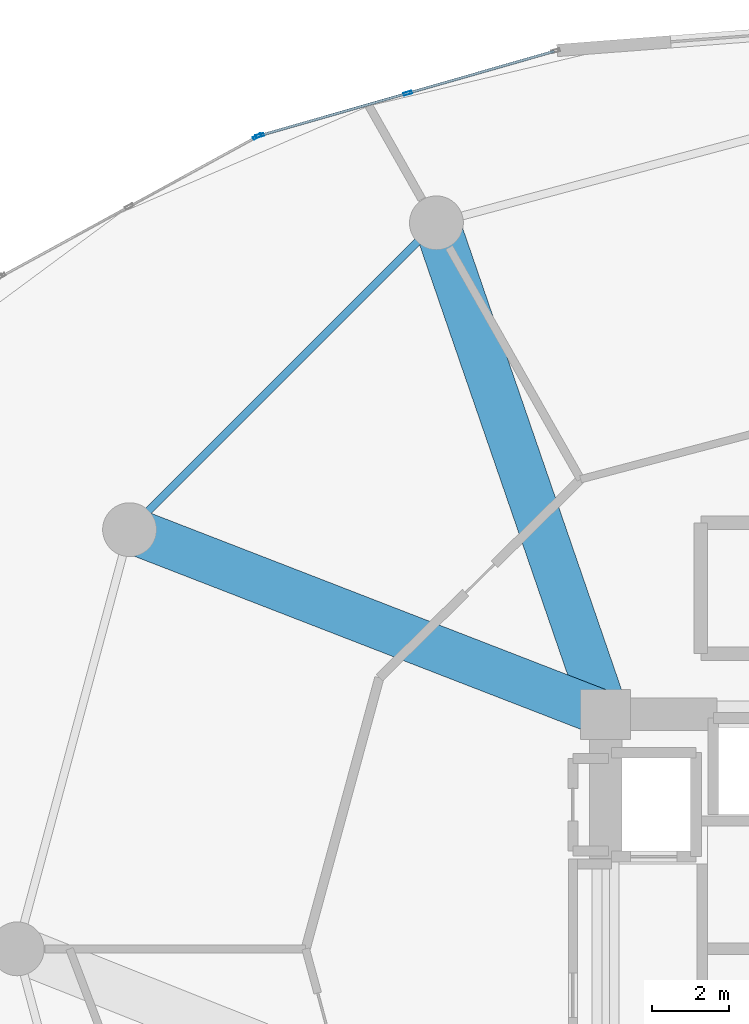
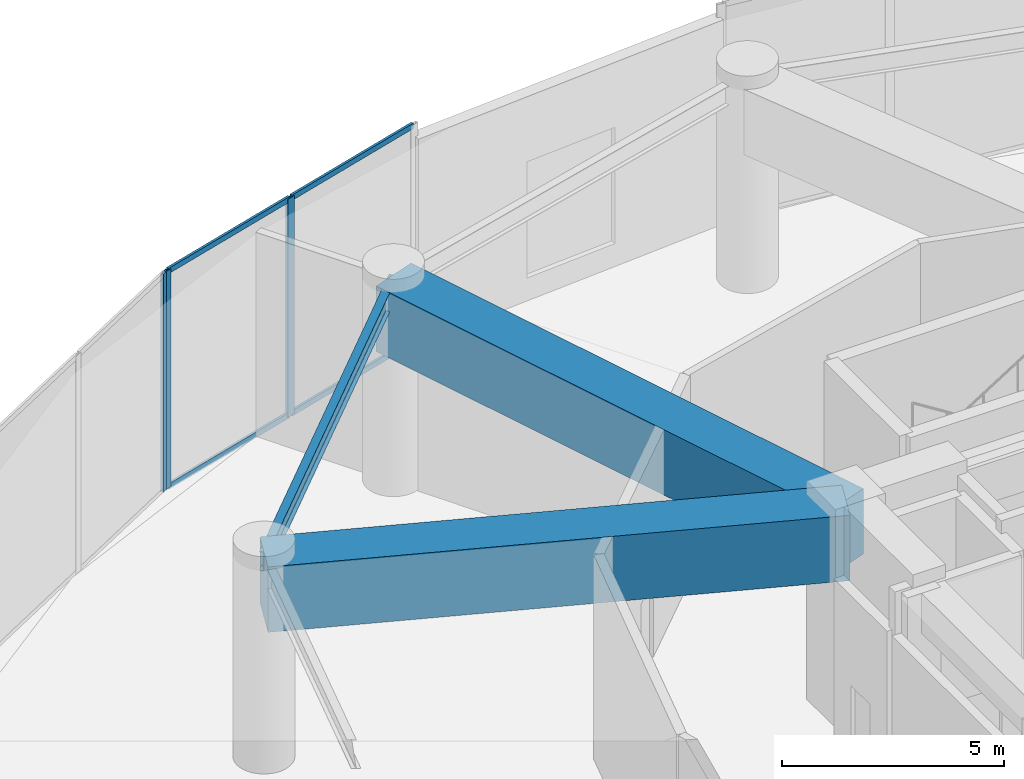
# One storey, part 15 of 28: 7 members, 3 beams, 2 elements without a shape of their own.
"""IFC4 building model written with IfcOpenShell, lengths in metres."""

from ifc_helpers import new_model, si_unit, direction, frame, origin, origin_2d, place, context, subcontext, project, spatial, rectangle, hollow_rectangle, i_section, extrude, source, transform, mapped, material, layer, layer_set, material_profile, profile_set, type_object, element, aggregate, save


model = new_model("IFC4")

# Units and contexts
model_context = context("Model", 3, precision=1e-05, world=origin(), true_north=direction((0.0, 1.0)))
body_context = subcontext(model_context, "Body", "Model", "MODEL_VIEW")
ifc_project = project(units=[si_unit("LENGTHUNIT", "METRE"), si_unit("AREAUNIT", "SQUARE_METRE"), si_unit("VOLUMEUNIT", "CUBIC_METRE"), si_unit("PLANEANGLEUNIT", "RADIAN"), si_unit("MASSUNIT", "GRAM", prefix="KILO")], contexts=[model_context])

# Site, building, storey
site_placement = place(None, origin())
site = spatial("IfcSite", under=ifc_project, at=site_placement, CompositionType="ELEMENT")
building_placement = place(site_placement, origin())
building = spatial("IfcBuilding", under=site, at=building_placement, Name="Solvirekh Grand Hotel", CompositionType="ELEMENT")
storey_placement = place(building_placement, frame((0.0, 0.0, 12.60009765625)))
storey = spatial("IfcBuildingStorey", under=building, at=storey_placement, Name="L02", CompositionType="ELEMENT", Elevation=12.60009765625)

# Beams
ifc_material_1 = material(Name="Steel S355", Category="steel")
ifc_material_profile_1 = material_profile(ifc_material_1, i_section(OverallWidth=0.208984375, OverallDepth=0.532958984375, WebThickness=0.010009765625, FlangeThickness=0.014892578125, FilletRadius=0.013916015625, at=origin_2d()), Name="W530X92")
ifc_profile_set_1 = profile_set([ifc_material_profile_1], Name="Steel S355")
beam_type_1 = type_object("IfcBeamType", Name="Spandrel_Ring_W530", PredefinedType="SPANDREL", material=ifc_profile_set_1)
beam_1_placement = place(storey_placement, frame((-10.89990234375, 18.87890625, 5.372802734375), z_axis=(-0.707106781187, -0.707106781187, 0.0), x_axis=(0.707106781187, -0.707106781187, 0.0)))
element("IfcBeam", 1, at=beam_1_placement, inside=storey, type_object=beam_type_1, Name="L02 perimeter spandrel beam 5", PredefinedType="SPANDREL", context=body_context, shape_type="SweptSolid", body=[
    extrude(i_section(OverallWidth=0.208984375, OverallDepth=0.532958984375, WebThickness=0.010009765625, FlangeThickness=0.014892578125, FilletRadius=0.013916015625, at=origin_2d()), origin(), (0.0, 0.0, 1.0), 11.283935546875),
])
ifc_material_2 = material(Name="Concrete C60/75", Category="concrete")
ifc_material_profile_2 = material_profile(ifc_material_2, rectangle(XDim=1.199951171875, YDim=1.800048828125, at=origin_2d()), Name="RC GIRDER 1200X1800")
ifc_profile_set_2 = profile_set([ifc_material_profile_2], Name="Concrete C60/75")
beam_type_2 = type_object("IfcBeamType", Name="TransferGirder_RC1800", PredefinedType="USERDEFINED", material=ifc_profile_set_2)
beam_2_placement = place(storey_placement, frame((-6.5, 6.10009765625, 4.739990234375), z_axis=(-0.325555300394, 0.94552300151, 0.0), x_axis=(-0.94552300151, -0.325555300394, 0.0)))
element("IfcBeam", 2, at=beam_2_placement, inside=storey, type_object=beam_type_2, Name="L02 radial transfer girder 5", ObjectType="TRANSFER GIRDER", PredefinedType="USERDEFINED", context=body_context, shape_type="SweptSolid", body=[
    extrude(rectangle(XDim=1.199951171875, YDim=1.800048828125, at=origin_2d()), origin(), (0.0, 0.0, 1.0), 13.51513671875),
])
beam_3_placement = place(storey_placement, frame((-6.5, 6.10009765625, 4.739990234375), z_axis=(-0.932365862704, 0.361516110381, 0.0), x_axis=(-0.361516110381, -0.932365862704, 0.0)))
element("IfcBeam", 3, at=beam_3_placement, inside=storey, type_object=beam_type_2, Name="L02 radial transfer girder 6", ObjectType="TRANSFER GIRDER", PredefinedType="USERDEFINED", context=body_context, shape_type="SweptSolid", body=[
    extrude(rectangle(XDim=1.199951171875, YDim=1.800048828125, at=origin_2d()), origin(), (0.0, 0.0, 1.0), 13.27685546875),
])

# Curtain wall, members
ifc_material_3 = material(Name="Anodized Bronze Aluminium 6063-T6", Category="aluminium")
ifc_layer = layer(ifc_material_3, 0.219970703125)
ifc_layer_set = layer_set([ifc_layer], Name="Anodized Bronze Aluminium 6063-T6")
curtain_wall_type = type_object("IfcCurtainWallType", Name="CW_Sys1_PodiumBronzeUnitised", PredefinedType="NOTDEFINED", material=ifc_layer_set)
curtain_wall_1_placement = place(storey_placement, origin())
curtain_wall_1 = element("IfcCurtainWall", 4, at=curtain_wall_1_placement, inside=storey, type_object=curtain_wall_type, Name="L02 unitised bronze-glass curtain wall CW-L02-C08", PredefinedType="NOTDEFINED")
ifc_material_profile_3 = material_profile(ifc_material_3, hollow_rectangle(XDim=0.06494140625, YDim=0.14990234375, WallThickness=0.0048828125, at=origin_2d()), Name="ALU RHS 150X65X5")
ifc_profile_set_3 = profile_set([ifc_material_profile_3], Name="Anodized Bronze Aluminium 6063-T6")
member_type_1 = type_object("IfcMemberType", Name="CWTransom_Sys1", PredefinedType="USERDEFINED", material=ifc_profile_set_3)
shared_shape_1 = source(origin(), body_context, "Body", "SweptSolid", [
    extrude(hollow_rectangle(XDim=0.06494140625, YDim=0.14990234375, WallThickness=0.0048828125, at=origin_2d()), origin(), (0.0, 0.0, 1.0), 3.928466796875),
])
member_1_placement = place(storey_placement, frame((-7.833984375, 23.34033203125, 0.032470703125), z_axis=(-0.961392511216, -0.275180739474, 0.0), x_axis=(0.275180739474, -0.961392511216, 0.0)))
member_1 = element("IfcMember", 5, at=member_1_placement, type_object=member_type_1, Name="U01 transom 1.1", ObjectType="TRANSOM", PredefinedType="USERDEFINED", context=body_context, shape_type="MappedRepresentation", body=[
    mapped(shared_shape_1, transform((0.0, 0.0, 0.0), x_axis=(1.0, 0.0, 0.0), y_axis=(0.0, 1.0, 0.0), z_axis=(0.0, 0.0, 1.0), scale=1.0)),
])
member_2_placement = place(storey_placement, frame((-7.833984375, 23.34033203125, 5.96728515625), z_axis=(-0.961392511216, -0.275180739474, 0.0), x_axis=(0.275180739474, -0.961392511216, 0.0)))
member_2 = element("IfcMember", 6, at=member_2_placement, type_object=member_type_1, Name="U01 transom 1.2", ObjectType="TRANSOM", PredefinedType="USERDEFINED", context=body_context, shape_type="MappedRepresentation", body=[
    mapped(shared_shape_1, transform((0.0, 0.0, 0.0), x_axis=(1.0, 0.0, 0.0), y_axis=(0.0, 1.0, 0.0), z_axis=(0.0, 0.0, 1.0), scale=1.0)),
])
member_3_placement = place(storey_placement, frame((-11.68310546875, 22.23876953125, 0.032470703125), z_axis=(-0.961392511216, -0.275180739474, 0.0), x_axis=(0.275180739474, -0.961392511216, 0.0)))
member_3 = element("IfcMember", 7, at=member_3_placement, type_object=member_type_1, Name="U01 transom 2.1", ObjectType="TRANSOM", PredefinedType="USERDEFINED", context=body_context, shape_type="MappedRepresentation", body=[
    mapped(shared_shape_1, transform((0.0, 0.0, 0.0), x_axis=(1.0, 0.0, 0.0), y_axis=(0.0, 1.0, 0.0), z_axis=(0.0, 0.0, 1.0), scale=1.0)),
])
member_4_placement = place(storey_placement, frame((-11.68310546875, 22.23876953125, 5.96728515625), z_axis=(-0.961392511216, -0.275180739474, 0.0), x_axis=(0.275180739474, -0.961392511216, 0.0)))
member_4 = element("IfcMember", 8, at=member_4_placement, type_object=member_type_1, Name="U01 transom 2.2", ObjectType="TRANSOM", PredefinedType="USERDEFINED", context=body_context, shape_type="MappedRepresentation", body=[
    mapped(shared_shape_1, transform((0.0, 0.0, 0.0), x_axis=(1.0, 0.0, 0.0), y_axis=(0.0, 1.0, 0.0), z_axis=(0.0, 0.0, 1.0), scale=1.0)),
])
ifc_material_profile_4 = material_profile(ifc_material_3, hollow_rectangle(XDim=0.074951171875, YDim=0.219970703125, WallThickness=0.006103515625, at=origin_2d()), Name="ALU RHS 220X75X6")
ifc_profile_set_4 = profile_set([ifc_material_profile_4], Name="Anodized Bronze Aluminium 6063-T6")
member_type_2 = type_object("IfcMemberType", Name="CWMullion_Sys1", PredefinedType="MULLION", material=ifc_profile_set_4)
shared_shape_2 = source(origin(), body_context, "Body", "SweptSolid", [
    extrude(hollow_rectangle(XDim=0.074951171875, YDim=0.219970703125, WallThickness=0.006103515625, at=origin_2d()), origin(), (0.0, 0.0, 1.0), 6.0),
])
member_5_placement = place(storey_placement, frame((-11.64697265625, 22.2490234375, 0.0), z_axis=(0.0, 0.0, 1.0), x_axis=(0.275178669567, -0.961393103686, 0.0)))
member_5 = element("IfcMember", 9, at=member_5_placement, type_object=member_type_2, Name="U01 mullion 2", PredefinedType="MULLION", context=body_context, shape_type="MappedRepresentation", body=[
    mapped(shared_shape_2, transform((0.0, 0.0, 0.0), x_axis=(1.0, 0.0, 0.0), y_axis=(0.0, 1.0, 0.0), z_axis=(0.0, 0.0, 1.0), scale=1.0)),
])
member_6_placement = place(storey_placement, frame((-15.495849609375, 21.147216796875, 0.0), z_axis=(0.0, 0.0, 1.0), x_axis=(0.275178669567, -0.961393103686, 0.0)))
member_6 = element("IfcMember", 10, at=member_6_placement, type_object=member_type_2, Name="U01 mullion 3", PredefinedType="MULLION", context=body_context, shape_type="MappedRepresentation", body=[
    mapped(shared_shape_2, transform((0.0, 0.0, 0.0), x_axis=(1.0, 0.0, 0.0), y_axis=(0.0, 1.0, 0.0), z_axis=(0.0, 0.0, 1.0), scale=1.0)),
])
aggregate(curtain_wall_1, [member_5, member_6, member_1, member_2, member_3, member_4])

# Curtain wall, member
curtain_wall_2_placement = place(storey_placement, origin())
curtain_wall_2 = element("IfcCurtainWall", 11, at=curtain_wall_2_placement, inside=storey, type_object=curtain_wall_type, Name="L02 unitised bronze-glass curtain wall CW-L02-C09", PredefinedType="NOTDEFINED")
member_7_placement = place(storey_placement, frame((-15.56494140625, 21.119140625, 0.0), z_axis=(0.0, 0.0, 1.0), x_axis=(0.479301044448, -0.877650561893, 0.0)))
member_7 = element("IfcMember", 12, at=member_7_placement, type_object=member_type_2, Name="U01 mullion 1", PredefinedType="MULLION", context=body_context, shape_type="MappedRepresentation", body=[
    mapped(shared_shape_2, transform((0.0, 0.0, 0.0), x_axis=(1.0, 0.0, 0.0), y_axis=(0.0, 1.0, 0.0), z_axis=(0.0, 0.0, 1.0), scale=1.0)),
])
aggregate(curtain_wall_2, [member_7])

save(model, "model.ifc")
